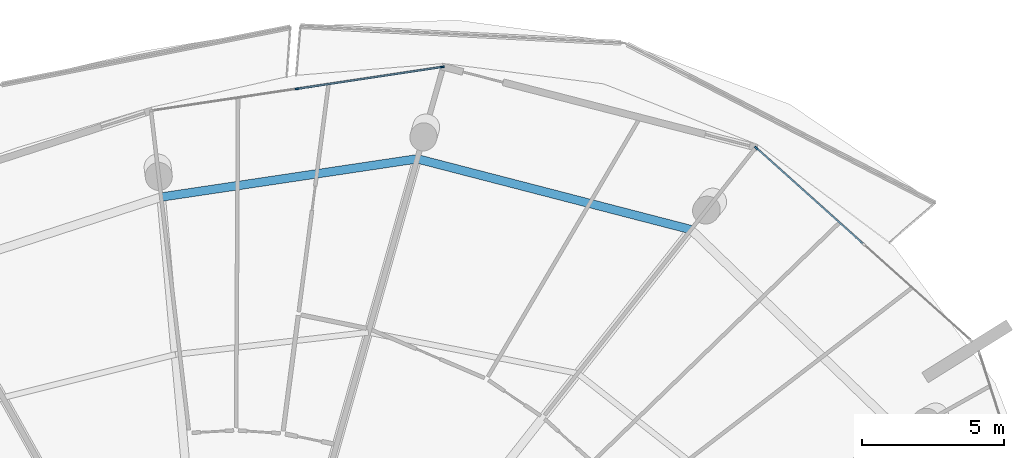
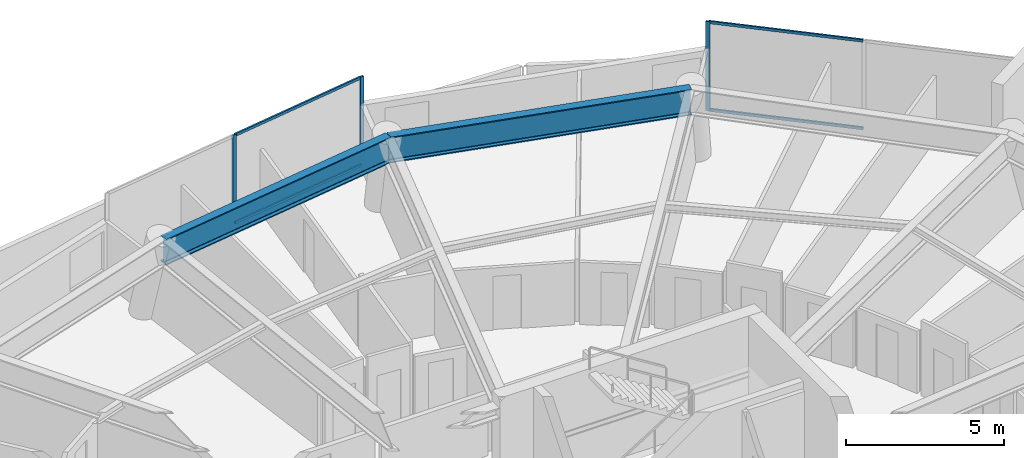
# One storey, part 16 of 30: 7 members, 2 beams, 2 elements without a shape of their own.
"""IFC4 building model written with IfcOpenShell, lengths in metres."""

from ifc_helpers import new_model, si_unit, direction, frame, origin, origin_2d, place, context, subcontext, project, spatial, rectangle, i_section, extrude, material, layer, layer_set, material_profile, profile_set, type_object, element, aggregate, save


model = new_model("IFC4")

# Units and contexts
model_context = context("Model", 3, precision=1e-05, world=origin(), true_north=direction((0.0, 1.0)))
body_context = subcontext(model_context, "Body", "Model", "MODEL_VIEW")
ifc_project = project(units=[si_unit("LENGTHUNIT", "METRE"), si_unit("AREAUNIT", "SQUARE_METRE"), si_unit("VOLUMEUNIT", "CUBIC_METRE"), si_unit("PLANEANGLEUNIT", "RADIAN"), si_unit("MASSUNIT", "GRAM", prefix="KILO")], contexts=[model_context])

# Site, building, storey
site_placement = place(None, origin())
site = spatial("IfcSite", under=ifc_project, at=site_placement, CompositionType="ELEMENT")
building_placement = place(site_placement, origin())
building = spatial("IfcBuilding", under=site, at=building_placement, Name="Kazma Halo Residences", CompositionType="ELEMENT")
storey_placement = place(building_placement, frame((0.0, 0.0, 302.14990234375)))
storey = spatial("IfcBuildingStorey", under=building, at=storey_placement, Name="L76", CompositionType="ELEMENT", Elevation=302.14990234375)

# Beams
ifc_material_1 = material(Name="Steel S355", Category="steel")
ifc_material_profile_1 = material_profile(ifc_material_1, i_section(OverallWidth=0.300048828125, OverallDepth=1.0, WebThickness=0.01904296875, FlangeThickness=0.0400390625, FilletRadius=0.02587890625, at=origin_2d()), Name="W1000x371")
ifc_profile_set_1 = profile_set([ifc_material_profile_1], Name="Steel S355")
beam_type = type_object("IfcBeamType", Name="BM-TRANS-W1000B", PredefinedType="BEAM", material=ifc_profile_set_1)
beam_1_placement = place(storey_placement, frame((64.0615234375, 62.3740234375, 2.9501953125), z_axis=(-0.968124405325, 0.250469830149, 0.0), x_axis=(-0.250469830149, -0.968124405325, 0.0)))
element("IfcBeam", 1, at=beam_1_placement, inside=storey, type_object=beam_type, Name="L76 perimeter ring beam 02", PredefinedType="BEAM", context=body_context, shape_type="SweptSolid", body=[
    extrude(i_section(OverallWidth=0.300048828125, OverallDepth=1.0, WebThickness=0.01904296875, FlangeThickness=0.0400390625, FilletRadius=0.02587890625, at=origin_2d()), origin(), (0.0, 0.0, 1.0), 9.9306640625),
])
beam_2_placement = place(storey_placement, frame((54.447509765625, 64.861328125, 2.9501953125), z_axis=(-0.989035180543, -0.147680099025, 0.0), x_axis=(0.147680099025, -0.989035180543, 0.0)))
element("IfcBeam", 2, at=beam_2_placement, inside=storey, type_object=beam_type, Name="L76 perimeter ring beam 03", PredefinedType="BEAM", context=body_context, shape_type="SweptSolid", body=[
    extrude(i_section(OverallWidth=0.300048828125, OverallDepth=1.0, WebThickness=0.01904296875, FlangeThickness=0.0400390625, FilletRadius=0.02587890625, at=origin_2d()), origin(), (0.0, 0.0, 1.0), 9.093994140625),
])

# Curtain wall, member
ifc_material_2 = material(Name="Aluminium AW-6063 T6 and Triple-Silver Low-E Glass", Category="aluminium")
ifc_layer = layer(ifc_material_2, 0.139892578125)
ifc_layer_set = layer_set([ifc_layer], Name="Aluminium AW-6063 T6 and Triple-Silver Low-E Glass")
curtain_wall_type = type_object("IfcCurtainWallType", Name="CW-SYS-5", PredefinedType="NOTDEFINED", material=ifc_layer_set)
curtain_wall_1_placement = place(storey_placement, origin())
curtain_wall_1 = element("IfcCurtainWall", 3, at=curtain_wall_1_placement, inside=storey, type_object=curtain_wall_type, Name="L76 unitised curtain wall B01", PredefinedType="NOTDEFINED")
ifc_material_3 = material(Name="Aluminium AW-6063 T6", Category="aluminium")
ifc_material_profile_2 = material_profile(ifc_material_3, rectangle(XDim=0.06005859375, YDim=0.139892578125, at=origin_2d()), Name="CWM-60x140")
ifc_profile_set_2 = profile_set([ifc_material_profile_2], Name="Aluminium AW-6063 T6")
member_type_1 = type_object("IfcMemberType", Name="CW-SYS-5-MUL", PredefinedType="MULLION", material=ifc_profile_set_2)
member_1_placement = place(storey_placement, frame((66.3603515625, 65.241455078125, 0.0), z_axis=(0.0, 0.0, 1.0), x_axis=(-0.667804826958, -0.744336424671, 0.0)))
member_1 = element("IfcMember", 4, at=member_1_placement, type_object=member_type_1, Name="CWS-5 mullion 3", PredefinedType="MULLION", context=body_context, shape_type="SweptSolid", body=[
    extrude(rectangle(XDim=0.06005859375, YDim=0.139892578125, at=origin_2d()), origin(), (0.0, 0.0, 1.0), 3.4501953125),
])

# Curtain wall, members
curtain_wall_2_placement = place(storey_placement, origin())
curtain_wall_2 = element("IfcCurtainWall", 5, at=curtain_wall_2_placement, inside=storey, type_object=curtain_wall_type, Name="L76 unitised curtain wall B03", PredefinedType="NOTDEFINED")
member_2_placement = place(storey_placement, frame((55.328857421875, 68.087158203125, 0.0), z_axis=(0.0, 0.0, 1.0), x_axis=(0.148697080374, -0.988882792998, 0.0)))
member_2 = element("IfcMember", 6, at=member_2_placement, type_object=member_type_1, Name="CWS-5 mullion 1", PredefinedType="MULLION", context=body_context, shape_type="SweptSolid", body=[
    extrude(rectangle(XDim=0.06005859375, YDim=0.139892578125, at=origin_2d()), origin(), (0.0, 0.0, 1.0), 3.4501953125),
])
member_3_placement = place(storey_placement, frame((50.2265625, 67.320068359375, 0.0), z_axis=(0.0, 0.0, 1.0), x_axis=(0.148697080374, -0.988882792998, 0.0)))
member_3 = element("IfcMember", 7, at=member_3_placement, type_object=member_type_1, Name="CWS-5 mullion 2", PredefinedType="MULLION", context=body_context, shape_type="SweptSolid", body=[
    extrude(rectangle(XDim=0.06005859375, YDim=0.139892578125, at=origin_2d()), origin(), (0.0, 0.0, 1.0), 3.4501953125),
])

# Member
ifc_material_profile_3 = material_profile(ifc_material_3, rectangle(XDim=0.06005859375, YDim=0.10498046875, at=origin_2d()), Name="CWT-60x105")
ifc_profile_set_3 = profile_set([ifc_material_profile_3], Name="Aluminium AW-6063 T6")
member_type_2 = type_object("IfcMemberType", Name="CW-SYS-5-TRN", PredefinedType="USERDEFINED", material=ifc_profile_set_3)
member_4_placement = place(storey_placement, frame((70.099609375, 61.88671875, 0.030029296875), z_axis=(-0.744350700793, 0.667788914425, 0.0), x_axis=(-0.667788914425, -0.744350700793, 0.0)))
member_4 = element("IfcMember", 8, at=member_4_placement, type_object=member_type_2, Name="CWS-5 transom 2.1", ObjectType="TRANSOM", PredefinedType="USERDEFINED", context=body_context, shape_type="SweptSolid", body=[
    extrude(rectangle(XDim=0.06005859375, YDim=0.10498046875, at=origin_2d()), origin(), (0.0, 0.0, 1.0), 4.99365234375),
])

member_5_placement = place(storey_placement, frame((70.099609375, 61.88671875, 3.420166015625), z_axis=(-0.744350700793, 0.667788914425, 0.0), x_axis=(-0.667788914425, -0.744350700793, 0.0)))
member_5 = element("IfcMember", 9, at=member_5_placement, type_object=member_type_2, Name="CWS-5 transom 2.2", ObjectType="TRANSOM", PredefinedType="USERDEFINED", context=body_context, shape_type="SweptSolid", body=[
    extrude(rectangle(XDim=0.06005859375, YDim=0.10498046875, at=origin_2d()), origin(), (0.0, 0.0, 1.0), 4.99365234375),
])

aggregate(curtain_wall_1, [member_1, member_4, member_5])

member_6_placement = place(storey_placement, frame((55.29931640625, 68.082763671875, 0.030029296875), z_axis=(-0.988883972013, -0.148689239341, 0.0), x_axis=(0.148689239341, -0.988883972013, 0.0)))
member_6 = element("IfcMember", 10, at=member_6_placement, type_object=member_type_2, Name="CWS-5 transom 1.1", ObjectType="TRANSOM", PredefinedType="USERDEFINED", context=body_context, shape_type="SweptSolid", body=[
    extrude(rectangle(XDim=0.06005859375, YDim=0.10498046875, at=origin_2d()), origin(), (0.0, 0.0, 1.0), 5.099853515625),
])

member_7_placement = place(storey_placement, frame((55.29931640625, 68.082763671875, 3.420166015625), z_axis=(-0.988883972013, -0.148689239341, 0.0), x_axis=(0.148689239341, -0.988883972013, 0.0)))
member_7 = element("IfcMember", 11, at=member_7_placement, type_object=member_type_2, Name="CWS-5 transom 1.2", ObjectType="TRANSOM", PredefinedType="USERDEFINED", context=body_context, shape_type="SweptSolid", body=[
    extrude(rectangle(XDim=0.06005859375, YDim=0.10498046875, at=origin_2d()), origin(), (0.0, 0.0, 1.0), 5.099853515625),
])

aggregate(curtain_wall_2, [member_2, member_3, member_6, member_7])

save(model, "model.ifc")
